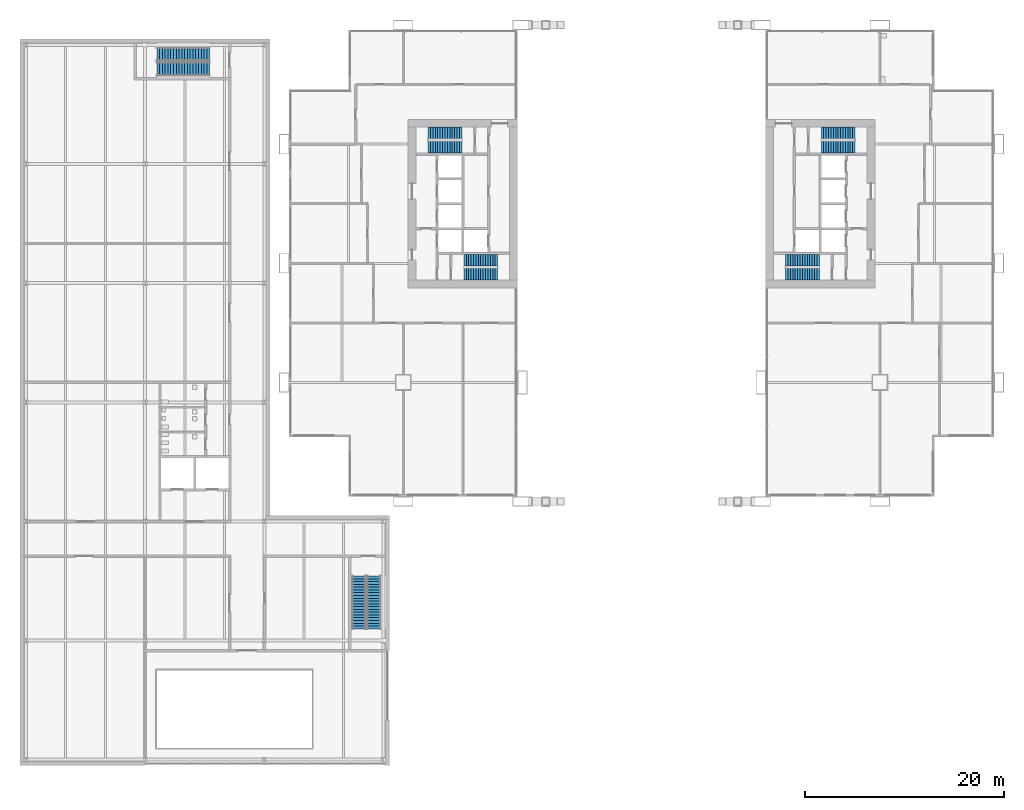
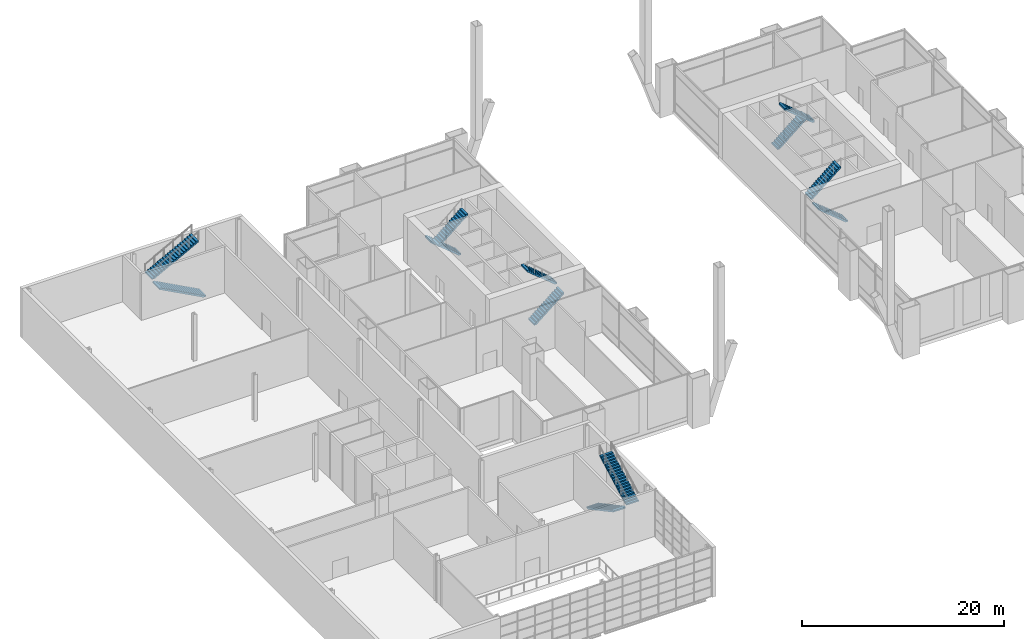
# One storey, part 28 of 30: 12 stair flights, 6 elements without a shape of their own.
"""IFC4 building model written with IfcOpenShell, lengths in metres."""

from ifc_helpers import new_model, si_unit, direction, frame, origin, place, context, subcontext, project, spatial, polyline, outline, extrude, material, type_object, element, aggregate, save


model = new_model("IFC4")

# Units and contexts
model_context = context("Model", 3, precision=1e-05, world=origin(), true_north=direction((0.0, 1.0)))
body_context = subcontext(model_context, "Body", "Model", "MODEL_VIEW")
ifc_project = project(units=[si_unit("LENGTHUNIT", "METRE"), si_unit("AREAUNIT", "SQUARE_METRE"), si_unit("VOLUMEUNIT", "CUBIC_METRE"), si_unit("PLANEANGLEUNIT", "RADIAN"), si_unit("MASSUNIT", "GRAM", prefix="KILO")], contexts=[model_context])

# Site, building, storey
site_placement = place(None, origin())
site = spatial("IfcSite", under=ifc_project, at=site_placement, CompositionType="ELEMENT")
building_placement = place(site_placement, origin())
building = spatial("IfcBuilding", under=site, at=building_placement, Name="Kitamizu Gate Tower and Museum", CompositionType="ELEMENT")
storey_placement = place(building_placement, frame((0.0, 0.0, 6.0)))
storey = spatial("IfcBuildingStorey", under=building, at=storey_placement, Name="L01", CompositionType="ELEMENT", Elevation=6.0)

# Stair, stair flights
ifc_material_1 = material(Name="Concrete Fc30", Category="concrete")
stair_type_1 = type_object("IfcStairType", Name="Museum stair 40 risers", PredefinedType="HALF_TURN_STAIR", material=ifc_material_1)
stair_1_placement = place(storey_placement, origin())
stair_1 = element("IfcStair", 1, at=stair_1_placement, inside=storey, type_object=stair_type_1, Name="Exit stair S", PredefinedType="HALF_TURN_STAIR")
ifc_material_2 = material(Name="Concrete Fc30", Category="concrete")
stair_flight_type_1 = type_object("IfcStairFlightType", Name="Museum stair flight 1400", PredefinedType="STRAIGHT", material=ifc_material_2)
stair_flight_1_placement = place(storey_placement, frame((7.550048828125, -7.5, 0.0), z_axis=(0.0, 0.0, 1.0), x_axis=(0.0, -1.0, 0.0)))
stair_flight_1 = element("IfcStairFlight", 2, at=stair_flight_1_placement, type_object=stair_flight_type_1, Name="MST1 flight 1", NumberOfRisers=20, NumberOfTreads=19, PredefinedType="STRAIGHT", RiserHeight=0.15, TreadLength=0.28, context=body_context, shape_type="SweptSolid", body=[
    extrude(outline(polyline([(0.0, 0.0), (0.0, 0.14990234375), (0.280029296875, 0.14990234375), (0.280029296875, 0.300048828125), (0.56005859375, 0.300048828125), (0.56005859375, 0.449951171875), (0.840087890625, 0.449951171875), (0.840087890625, 0.60009765625), (1.1201171875, 0.60009765625), (1.1201171875, 0.75), (1.39990234375, 0.75), (1.39990234375, 0.89990234375), (1.679931640625, 0.89990234375), (1.679931640625, 1.050048828125), (1.9599609375, 1.050048828125), (1.9599609375, 1.199951171875), (2.239990234375, 1.199951171875), (2.239990234375, 1.35009765625), (2.52001953125, 1.35009765625), (2.52001953125, 1.5), (2.800048828125, 1.5), (2.800048828125, 1.64990234375), (3.080078125, 1.64990234375), (3.080078125, 1.800048828125), (3.360107421875, 1.800048828125), (3.360107421875, 1.949951171875), (3.639892578125, 1.949951171875), (3.639892578125, 2.10009765625), (3.919921875, 2.10009765625), (3.919921875, 2.25), (4.199951171875, 2.25), (4.199951171875, 2.39990234375), (4.47998046875, 2.39990234375), (4.47998046875, 2.550048828125), (4.760009765625, 2.550048828125), (4.760009765625, 2.699951171875), (5.0400390625, 2.699951171875), (5.0400390625, 2.85009765625), (5.320068359375, 2.85009765625), (5.320068359375, 3.0), (5.320068359375, 2.679931640625), (0.3173828125, 0.0), (0.0, 0.0)])), frame((0.0, 0.699951171875, 0.0), z_axis=(0.0, -1.0, 0.0), x_axis=(1.0, 0.0, 0.0)), (0.0, 0.0, 1.0), 1.39990234375),
])
stair_flight_2_placement = place(storey_placement, frame((9.050048828125, -12.820068359375, 3.0), z_axis=(0.0, 0.0, 1.0), x_axis=(0.0, 1.0, 0.0)))
stair_flight_2 = element("IfcStairFlight", 3, at=stair_flight_2_placement, type_object=stair_flight_type_1, Name="MST1 flight 2", NumberOfRisers=20, NumberOfTreads=19, PredefinedType="STRAIGHT", RiserHeight=0.15, TreadLength=0.28, context=body_context, shape_type="SweptSolid", body=[
    extrude(outline(polyline([(0.0, 0.0), (0.0, 0.14990234375), (0.280029296875, 0.14990234375), (0.280029296875, 0.300048828125), (0.56005859375, 0.300048828125), (0.56005859375, 0.449951171875), (0.840087890625, 0.449951171875), (0.840087890625, 0.60009765625), (1.1201171875, 0.60009765625), (1.1201171875, 0.75), (1.39990234375, 0.75), (1.39990234375, 0.89990234375), (1.679931640625, 0.89990234375), (1.679931640625, 1.050048828125), (1.9599609375, 1.050048828125), (1.9599609375, 1.199951171875), (2.239990234375, 1.199951171875), (2.239990234375, 1.35009765625), (2.52001953125, 1.35009765625), (2.52001953125, 1.5), (2.800048828125, 1.5), (2.800048828125, 1.64990234375), (3.080078125, 1.64990234375), (3.080078125, 1.800048828125), (3.360107421875, 1.800048828125), (3.360107421875, 1.949951171875), (3.639892578125, 1.949951171875), (3.639892578125, 2.10009765625), (3.919921875, 2.10009765625), (3.919921875, 2.25), (4.199951171875, 2.25), (4.199951171875, 2.39990234375), (4.47998046875, 2.39990234375), (4.47998046875, 2.550048828125), (4.760009765625, 2.550048828125), (4.760009765625, 2.699951171875), (5.0400390625, 2.699951171875), (5.0400390625, 2.85009765625), (5.320068359375, 2.85009765625), (5.320068359375, 3.0), (5.320068359375, 2.679931640625), (0.3173828125, 0.0), (0.0, 0.0)])), frame((0.0, 0.699951171875, 0.0), z_axis=(0.0, -1.0, 0.0), x_axis=(1.0, 0.0, 0.0)), (0.0, 0.0, 1.0), 1.39990234375),
])
aggregate(stair_1, [stair_flight_1, stair_flight_2])

stair_2_placement = place(storey_placement, origin())
stair_2 = element("IfcStair", 4, at=stair_2_placement, inside=storey, type_object=stair_type_1, Name="Exit stair N", PredefinedType="HALF_TURN_STAIR")
stair_flight_3_placement = place(storey_placement, frame((-7.5, 43.550048828125, 0.0), z_axis=(0.0, 0.0, 1.0), x_axis=(-1.0, 0.0, 0.0)))
stair_flight_3 = element("IfcStairFlight", 5, at=stair_flight_3_placement, type_object=stair_flight_type_1, Name="MST2 flight 1", NumberOfRisers=20, NumberOfTreads=19, PredefinedType="STRAIGHT", RiserHeight=0.15, TreadLength=0.28, context=body_context, shape_type="SweptSolid", body=[
    extrude(outline(polyline([(0.0, 0.0), (0.0, 0.14990234375), (0.280029296875, 0.14990234375), (0.280029296875, 0.300048828125), (0.56005859375, 0.300048828125), (0.56005859375, 0.449951171875), (0.840087890625, 0.449951171875), (0.840087890625, 0.60009765625), (1.1201171875, 0.60009765625), (1.1201171875, 0.75), (1.39990234375, 0.75), (1.39990234375, 0.89990234375), (1.679931640625, 0.89990234375), (1.679931640625, 1.050048828125), (1.9599609375, 1.050048828125), (1.9599609375, 1.199951171875), (2.239990234375, 1.199951171875), (2.239990234375, 1.35009765625), (2.52001953125, 1.35009765625), (2.52001953125, 1.5), (2.800048828125, 1.5), (2.800048828125, 1.64990234375), (3.080078125, 1.64990234375), (3.080078125, 1.800048828125), (3.360107421875, 1.800048828125), (3.360107421875, 1.949951171875), (3.639892578125, 1.949951171875), (3.639892578125, 2.10009765625), (3.919921875, 2.10009765625), (3.919921875, 2.25), (4.199951171875, 2.25), (4.199951171875, 2.39990234375), (4.47998046875, 2.39990234375), (4.47998046875, 2.550048828125), (4.760009765625, 2.550048828125), (4.760009765625, 2.699951171875), (5.0400390625, 2.699951171875), (5.0400390625, 2.85009765625), (5.320068359375, 2.85009765625), (5.320068359375, 3.0), (5.320068359375, 2.679931640625), (0.3173828125, 0.0), (0.0, 0.0)])), frame((0.0, 0.699951171875, 0.0), z_axis=(0.0, -1.0, 0.0), x_axis=(1.0, 0.0, 0.0)), (0.0, 0.0, 1.0), 1.39990234375),
])
stair_flight_4_placement = place(storey_placement, frame((-12.820068359375, 45.050048828125, 3.0), z_axis=(0.0, 0.0, 1.0), x_axis=(1.0, 0.0, 0.0)))
stair_flight_4 = element("IfcStairFlight", 6, at=stair_flight_4_placement, type_object=stair_flight_type_1, Name="MST2 flight 2", NumberOfRisers=20, NumberOfTreads=19, PredefinedType="STRAIGHT", RiserHeight=0.15, TreadLength=0.28, context=body_context, shape_type="SweptSolid", body=[
    extrude(outline(polyline([(0.0, 0.0), (0.0, 0.14990234375), (0.280029296875, 0.14990234375), (0.280029296875, 0.300048828125), (0.56005859375, 0.300048828125), (0.56005859375, 0.449951171875), (0.840087890625, 0.449951171875), (0.840087890625, 0.60009765625), (1.1201171875, 0.60009765625), (1.1201171875, 0.75), (1.39990234375, 0.75), (1.39990234375, 0.89990234375), (1.679931640625, 0.89990234375), (1.679931640625, 1.050048828125), (1.9599609375, 1.050048828125), (1.9599609375, 1.199951171875), (2.239990234375, 1.199951171875), (2.239990234375, 1.35009765625), (2.52001953125, 1.35009765625), (2.52001953125, 1.5), (2.800048828125, 1.5), (2.800048828125, 1.64990234375), (3.080078125, 1.64990234375), (3.080078125, 1.800048828125), (3.360107421875, 1.800048828125), (3.360107421875, 1.949951171875), (3.639892578125, 1.949951171875), (3.639892578125, 2.10009765625), (3.919921875, 2.10009765625), (3.919921875, 2.25), (4.199951171875, 2.25), (4.199951171875, 2.39990234375), (4.47998046875, 2.39990234375), (4.47998046875, 2.550048828125), (4.760009765625, 2.550048828125), (4.760009765625, 2.699951171875), (5.0400390625, 2.699951171875), (5.0400390625, 2.85009765625), (5.320068359375, 2.85009765625), (5.320068359375, 3.0), (5.320068359375, 2.679931640625), (0.3173828125, 0.0), (0.0, 0.0)])), frame((0.0, 0.699951171875, 0.0), z_axis=(0.0, -1.0, 0.0), x_axis=(1.0, 0.0, 0.0)), (0.0, 0.0, 1.0), 1.39990234375),
])
aggregate(stair_2, [stair_flight_3, stair_flight_4])

ifc_material_3 = material(Name="Concrete Fc42", Category="concrete")
stair_type_2 = type_object("IfcStairType", Name="Exit stair 1200 wide 200 rise 243 going", PredefinedType="HALF_TURN_STAIR", material=ifc_material_3)
stair_3_placement = place(storey_placement, origin())
stair_3 = element("IfcStair", 7, at=stair_3_placement, inside=storey, type_object=stair_type_2, Name="Exit stair ST1", PredefinedType="HALF_TURN_STAIR")
ifc_material_4 = material(Name="Concrete Fc42", Category="concrete")
stair_flight_type_2 = type_object("IfcStairFlightType", Name="Stair flight 1200 wide 200 rise 243 going", PredefinedType="STRAIGHT", material=ifc_material_4)
stair_flight_5_placement = place(storey_placement, frame((18.10009765625, 22.89990234375, 0.0), z_axis=(0.0, 0.0, 1.0), x_axis=(1.0, 0.0, 0.0)))
stair_flight_5 = element("IfcStairFlight", 8, at=stair_flight_5_placement, type_object=stair_flight_type_2, Name="ST1 flight 1", NumberOfRisers=15, NumberOfTreads=14, PredefinedType="STRAIGHT", RiserHeight=0.2, TreadLength=0.242857143, context=body_context, shape_type="SweptSolid", body=[
    extrude(outline(polyline([(0.0, 0.0), (0.0, 0.199951171875), (0.242919921875, 0.199951171875), (0.242919921875, 0.39990234375), (0.485595703125, 0.39990234375), (0.485595703125, 0.60009765625), (0.728515625, 0.60009765625), (0.728515625, 0.800048828125), (0.971435546875, 0.800048828125), (0.971435546875, 1.0), (1.21435546875, 1.0), (1.21435546875, 1.199951171875), (1.45703125, 1.199951171875), (1.45703125, 1.39990234375), (1.699951171875, 1.39990234375), (1.699951171875, 1.60009765625), (1.94287109375, 1.60009765625), (1.94287109375, 1.800048828125), (2.185791015625, 1.800048828125), (2.185791015625, 2.0), (2.428466796875, 2.0), (2.428466796875, 2.199951171875), (2.67138671875, 2.199951171875), (2.67138671875, 2.39990234375), (2.914306640625, 2.39990234375), (2.914306640625, 2.60009765625), (3.1572265625, 2.60009765625), (3.1572265625, 2.800048828125), (3.39990234375, 2.800048828125), (3.39990234375, 3.0), (3.39990234375, 2.605712890625), (0.23583984375, 0.0), (0.0, 0.0)])), frame((0.0, 0.60009765625, 0.0), z_axis=(0.0, -1.0, 0.0), x_axis=(1.0, 0.0, 0.0)), (0.0, 0.0, 1.0), 1.199951171875),
])
stair_flight_6_placement = place(storey_placement, frame((21.5, 24.300048828125, 3.0), z_axis=(0.0, 0.0, 1.0), x_axis=(-1.0, 0.0, 0.0)))
stair_flight_6 = element("IfcStairFlight", 9, at=stair_flight_6_placement, type_object=stair_flight_type_2, Name="ST1 flight 2", NumberOfRisers=15, NumberOfTreads=14, PredefinedType="STRAIGHT", RiserHeight=0.2, TreadLength=0.242857143, context=body_context, shape_type="SweptSolid", body=[
    extrude(outline(polyline([(0.0, 0.0), (0.0, 0.199951171875), (0.242919921875, 0.199951171875), (0.242919921875, 0.39990234375), (0.485595703125, 0.39990234375), (0.485595703125, 0.60009765625), (0.728515625, 0.60009765625), (0.728515625, 0.800048828125), (0.971435546875, 0.800048828125), (0.971435546875, 1.0), (1.21435546875, 1.0), (1.21435546875, 1.199951171875), (1.45703125, 1.199951171875), (1.45703125, 1.39990234375), (1.699951171875, 1.39990234375), (1.699951171875, 1.60009765625), (1.94287109375, 1.60009765625), (1.94287109375, 1.800048828125), (2.185791015625, 1.800048828125), (2.185791015625, 2.0), (2.428466796875, 2.0), (2.428466796875, 2.199951171875), (2.67138671875, 2.199951171875), (2.67138671875, 2.39990234375), (2.914306640625, 2.39990234375), (2.914306640625, 2.60009765625), (3.1572265625, 2.60009765625), (3.1572265625, 2.800048828125), (3.39990234375, 2.800048828125), (3.39990234375, 3.0), (3.39990234375, 2.605712890625), (0.23583984375, 0.0), (0.0, 0.0)])), frame((0.0, 0.60009765625, 0.0), z_axis=(0.0, -1.0, 0.0), x_axis=(1.0, 0.0, 0.0)), (0.0, 0.0, 1.0), 1.199951171875),
])
aggregate(stair_3, [stair_flight_5, stair_flight_6])

stair_4_placement = place(storey_placement, origin())
stair_4 = element("IfcStair", 10, at=stair_4_placement, inside=storey, type_object=stair_type_2, Name="Exit stair ST2", PredefinedType="HALF_TURN_STAIR")
stair_flight_7_placement = place(storey_placement, frame((17.89990234375, 37.10009765625, 0.0), z_axis=(0.0, 0.0, 1.0), x_axis=(-1.0, 0.0, 0.0)))
stair_flight_7 = element("IfcStairFlight", 11, at=stair_flight_7_placement, type_object=stair_flight_type_2, Name="ST2 flight 1", NumberOfRisers=15, NumberOfTreads=14, PredefinedType="STRAIGHT", RiserHeight=0.2, TreadLength=0.242857143, context=body_context, shape_type="SweptSolid", body=[
    extrude(outline(polyline([(0.0, 0.0), (0.0, 0.199951171875), (0.242919921875, 0.199951171875), (0.242919921875, 0.39990234375), (0.485595703125, 0.39990234375), (0.485595703125, 0.60009765625), (0.728515625, 0.60009765625), (0.728515625, 0.800048828125), (0.971435546875, 0.800048828125), (0.971435546875, 1.0), (1.21435546875, 1.0), (1.21435546875, 1.199951171875), (1.45703125, 1.199951171875), (1.45703125, 1.39990234375), (1.699951171875, 1.39990234375), (1.699951171875, 1.60009765625), (1.94287109375, 1.60009765625), (1.94287109375, 1.800048828125), (2.185791015625, 1.800048828125), (2.185791015625, 2.0), (2.428466796875, 2.0), (2.428466796875, 2.199951171875), (2.67138671875, 2.199951171875), (2.67138671875, 2.39990234375), (2.914306640625, 2.39990234375), (2.914306640625, 2.60009765625), (3.1572265625, 2.60009765625), (3.1572265625, 2.800048828125), (3.39990234375, 2.800048828125), (3.39990234375, 3.0), (3.39990234375, 2.605712890625), (0.23583984375, 0.0), (0.0, 0.0)])), frame((0.0, 0.60009765625, 0.0), z_axis=(0.0, -1.0, 0.0), x_axis=(1.0, 0.0, 0.0)), (0.0, 0.0, 1.0), 1.199951171875),
])
stair_flight_8_placement = place(storey_placement, frame((14.5, 35.699951171875, 3.0), z_axis=(0.0, 0.0, 1.0), x_axis=(1.0, 0.0, 0.0)))
stair_flight_8 = element("IfcStairFlight", 12, at=stair_flight_8_placement, type_object=stair_flight_type_2, Name="ST2 flight 2", NumberOfRisers=15, NumberOfTreads=14, PredefinedType="STRAIGHT", RiserHeight=0.2, TreadLength=0.242857143, context=body_context, shape_type="SweptSolid", body=[
    extrude(outline(polyline([(0.0, 0.0), (0.0, 0.199951171875), (0.242919921875, 0.199951171875), (0.242919921875, 0.39990234375), (0.485595703125, 0.39990234375), (0.485595703125, 0.60009765625), (0.728515625, 0.60009765625), (0.728515625, 0.800048828125), (0.971435546875, 0.800048828125), (0.971435546875, 1.0), (1.21435546875, 1.0), (1.21435546875, 1.199951171875), (1.45703125, 1.199951171875), (1.45703125, 1.39990234375), (1.699951171875, 1.39990234375), (1.699951171875, 1.60009765625), (1.94287109375, 1.60009765625), (1.94287109375, 1.800048828125), (2.185791015625, 1.800048828125), (2.185791015625, 2.0), (2.428466796875, 2.0), (2.428466796875, 2.199951171875), (2.67138671875, 2.199951171875), (2.67138671875, 2.39990234375), (2.914306640625, 2.39990234375), (2.914306640625, 2.60009765625), (3.1572265625, 2.60009765625), (3.1572265625, 2.800048828125), (3.39990234375, 2.800048828125), (3.39990234375, 3.0), (3.39990234375, 2.605712890625), (0.23583984375, 0.0), (0.0, 0.0)])), frame((0.0, 0.60009765625, 0.0), z_axis=(0.0, -1.0, 0.0), x_axis=(1.0, 0.0, 0.0)), (0.0, 0.0, 1.0), 1.199951171875),
])
aggregate(stair_4, [stair_flight_7, stair_flight_8])

stair_5_placement = place(storey_placement, origin())
stair_5 = element("IfcStair", 13, at=stair_5_placement, inside=storey, type_object=stair_type_2, Name="Exit stair ST3", PredefinedType="HALF_TURN_STAIR")
stair_flight_9_placement = place(storey_placement, frame((53.89990234375, 22.89990234375, 0.0), z_axis=(0.0, 0.0, 1.0), x_axis=(-1.0, 0.0, 0.0)))
stair_flight_9 = element("IfcStairFlight", 14, at=stair_flight_9_placement, type_object=stair_flight_type_2, Name="ST3 flight 1", NumberOfRisers=15, NumberOfTreads=14, PredefinedType="STRAIGHT", RiserHeight=0.2, TreadLength=0.242857143, context=body_context, shape_type="SweptSolid", body=[
    extrude(outline(polyline([(0.0, 0.0), (0.0, 0.199951171875), (0.242919921875, 0.199951171875), (0.242919921875, 0.39990234375), (0.485595703125, 0.39990234375), (0.485595703125, 0.60009765625), (0.728515625, 0.60009765625), (0.728515625, 0.800048828125), (0.971435546875, 0.800048828125), (0.971435546875, 1.0), (1.21435546875, 1.0), (1.21435546875, 1.199951171875), (1.45703125, 1.199951171875), (1.45703125, 1.39990234375), (1.699951171875, 1.39990234375), (1.699951171875, 1.60009765625), (1.94287109375, 1.60009765625), (1.94287109375, 1.800048828125), (2.185791015625, 1.800048828125), (2.185791015625, 2.0), (2.428466796875, 2.0), (2.428466796875, 2.199951171875), (2.67138671875, 2.199951171875), (2.67138671875, 2.39990234375), (2.914306640625, 2.39990234375), (2.914306640625, 2.60009765625), (3.1572265625, 2.60009765625), (3.1572265625, 2.800048828125), (3.39990234375, 2.800048828125), (3.39990234375, 3.0), (3.39990234375, 2.605712890625), (0.23583984375, 0.0), (0.0, 0.0)])), frame((0.0, 0.60009765625, 0.0), z_axis=(0.0, -1.0, 0.0), x_axis=(1.0, 0.0, 0.0)), (0.0, 0.0, 1.0), 1.199951171875),
])
stair_flight_10_placement = place(storey_placement, frame((50.5, 24.300048828125, 3.0), z_axis=(0.0, 0.0, 1.0), x_axis=(1.0, 0.0, 0.0)))
stair_flight_10 = element("IfcStairFlight", 15, at=stair_flight_10_placement, type_object=stair_flight_type_2, Name="ST3 flight 2", NumberOfRisers=15, NumberOfTreads=14, PredefinedType="STRAIGHT", RiserHeight=0.2, TreadLength=0.242857143, context=body_context, shape_type="SweptSolid", body=[
    extrude(outline(polyline([(0.0, 0.0), (0.0, 0.199951171875), (0.242919921875, 0.199951171875), (0.242919921875, 0.39990234375), (0.485595703125, 0.39990234375), (0.485595703125, 0.60009765625), (0.728515625, 0.60009765625), (0.728515625, 0.800048828125), (0.971435546875, 0.800048828125), (0.971435546875, 1.0), (1.21435546875, 1.0), (1.21435546875, 1.199951171875), (1.45703125, 1.199951171875), (1.45703125, 1.39990234375), (1.699951171875, 1.39990234375), (1.699951171875, 1.60009765625), (1.94287109375, 1.60009765625), (1.94287109375, 1.800048828125), (2.185791015625, 1.800048828125), (2.185791015625, 2.0), (2.428466796875, 2.0), (2.428466796875, 2.199951171875), (2.67138671875, 2.199951171875), (2.67138671875, 2.39990234375), (2.914306640625, 2.39990234375), (2.914306640625, 2.60009765625), (3.1572265625, 2.60009765625), (3.1572265625, 2.800048828125), (3.39990234375, 2.800048828125), (3.39990234375, 3.0), (3.39990234375, 2.605712890625), (0.23583984375, 0.0), (0.0, 0.0)])), frame((0.0, 0.60009765625, 0.0), z_axis=(0.0, -1.0, 0.0), x_axis=(1.0, 0.0, 0.0)), (0.0, 0.0, 1.0), 1.199951171875),
])
aggregate(stair_5, [stair_flight_9, stair_flight_10])

stair_6_placement = place(storey_placement, origin())
stair_6 = element("IfcStair", 16, at=stair_6_placement, inside=storey, type_object=stair_type_2, Name="Exit stair ST4", PredefinedType="HALF_TURN_STAIR")
stair_flight_11_placement = place(storey_placement, frame((54.10009765625, 37.10009765625, 0.0), z_axis=(0.0, 0.0, 1.0), x_axis=(1.0, 0.0, 0.0)))
stair_flight_11 = element("IfcStairFlight", 17, at=stair_flight_11_placement, type_object=stair_flight_type_2, Name="ST4 flight 1", NumberOfRisers=15, NumberOfTreads=14, PredefinedType="STRAIGHT", RiserHeight=0.2, TreadLength=0.242857143, context=body_context, shape_type="SweptSolid", body=[
    extrude(outline(polyline([(0.0, 0.0), (0.0, 0.199951171875), (0.242919921875, 0.199951171875), (0.242919921875, 0.39990234375), (0.485595703125, 0.39990234375), (0.485595703125, 0.60009765625), (0.728515625, 0.60009765625), (0.728515625, 0.800048828125), (0.971435546875, 0.800048828125), (0.971435546875, 1.0), (1.21435546875, 1.0), (1.21435546875, 1.199951171875), (1.45703125, 1.199951171875), (1.45703125, 1.39990234375), (1.699951171875, 1.39990234375), (1.699951171875, 1.60009765625), (1.94287109375, 1.60009765625), (1.94287109375, 1.800048828125), (2.185791015625, 1.800048828125), (2.185791015625, 2.0), (2.428466796875, 2.0), (2.428466796875, 2.199951171875), (2.67138671875, 2.199951171875), (2.67138671875, 2.39990234375), (2.914306640625, 2.39990234375), (2.914306640625, 2.60009765625), (3.1572265625, 2.60009765625), (3.1572265625, 2.800048828125), (3.39990234375, 2.800048828125), (3.39990234375, 3.0), (3.39990234375, 2.605712890625), (0.23583984375, 0.0), (0.0, 0.0)])), frame((0.0, 0.60009765625, 0.0), z_axis=(0.0, -1.0, 0.0), x_axis=(1.0, 0.0, 0.0)), (0.0, 0.0, 1.0), 1.199951171875),
])
stair_flight_12_placement = place(storey_placement, frame((57.5, 35.699951171875, 3.0), z_axis=(0.0, 0.0, 1.0), x_axis=(-1.0, 0.0, 0.0)))
stair_flight_12 = element("IfcStairFlight", 18, at=stair_flight_12_placement, type_object=stair_flight_type_2, Name="ST4 flight 2", NumberOfRisers=15, NumberOfTreads=14, PredefinedType="STRAIGHT", RiserHeight=0.2, TreadLength=0.242857143, context=body_context, shape_type="SweptSolid", body=[
    extrude(outline(polyline([(0.0, 0.0), (0.0, 0.199951171875), (0.242919921875, 0.199951171875), (0.242919921875, 0.39990234375), (0.485595703125, 0.39990234375), (0.485595703125, 0.60009765625), (0.728515625, 0.60009765625), (0.728515625, 0.800048828125), (0.971435546875, 0.800048828125), (0.971435546875, 1.0), (1.21435546875, 1.0), (1.21435546875, 1.199951171875), (1.45703125, 1.199951171875), (1.45703125, 1.39990234375), (1.699951171875, 1.39990234375), (1.699951171875, 1.60009765625), (1.94287109375, 1.60009765625), (1.94287109375, 1.800048828125), (2.185791015625, 1.800048828125), (2.185791015625, 2.0), (2.428466796875, 2.0), (2.428466796875, 2.199951171875), (2.67138671875, 2.199951171875), (2.67138671875, 2.39990234375), (2.914306640625, 2.39990234375), (2.914306640625, 2.60009765625), (3.1572265625, 2.60009765625), (3.1572265625, 2.800048828125), (3.39990234375, 2.800048828125), (3.39990234375, 3.0), (3.39990234375, 2.605712890625), (0.23583984375, 0.0), (0.0, 0.0)])), frame((0.0, 0.60009765625, 0.0), z_axis=(0.0, -1.0, 0.0), x_axis=(1.0, 0.0, 0.0)), (0.0, 0.0, 1.0), 1.199951171875),
])
aggregate(stair_6, [stair_flight_11, stair_flight_12])

save(model, "model.ifc")
